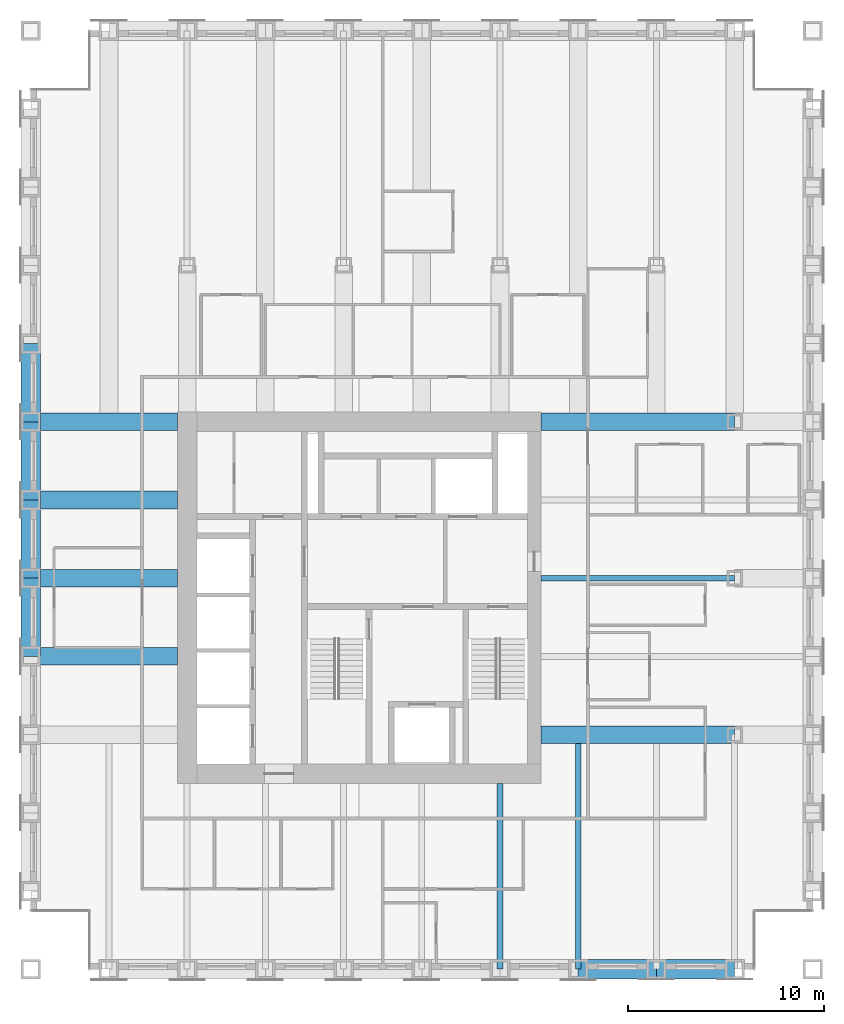
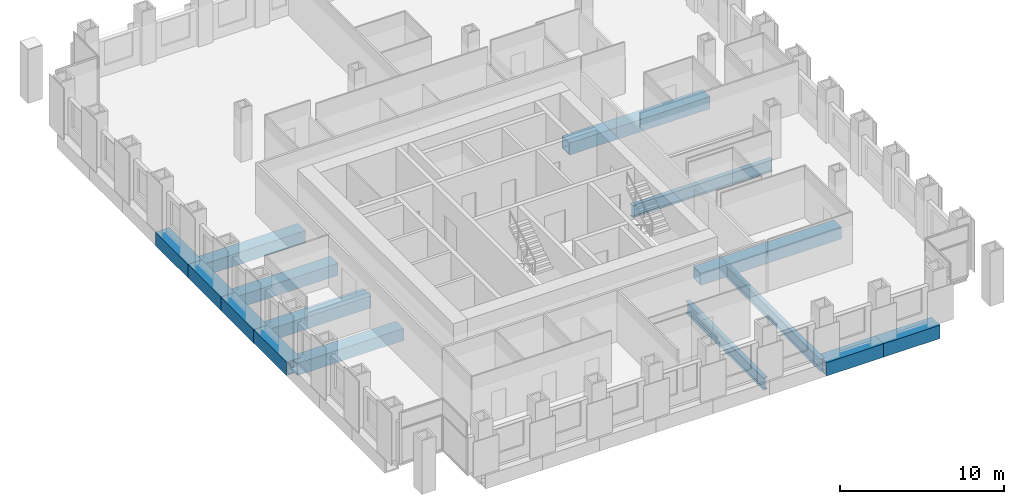
# One storey, part 3 of 14: 15 beams.
"""IFC4 building model written with IfcOpenShell, lengths in metres."""

from ifc_helpers import new_model, si_unit, direction, frame, origin, origin_2d, place, context, subcontext, project, spatial, hollow_rectangle, i_section, extrude, material, material_profile, profile_set, type_object, element, save


model = new_model("IFC4")

# Units and contexts
model_context = context("Model", 3, precision=1e-05, world=origin(), true_north=direction((0.0, 1.0)))
body_context = subcontext(model_context, "Body", "Model", "MODEL_VIEW")
ifc_project = project(units=[si_unit("LENGTHUNIT", "METRE"), si_unit("AREAUNIT", "SQUARE_METRE"), si_unit("VOLUMEUNIT", "CUBIC_METRE"), si_unit("PLANEANGLEUNIT", "RADIAN"), si_unit("MASSUNIT", "GRAM", prefix="KILO")], contexts=[model_context])

# Site, building, storey
site_placement = place(None, origin())
site = spatial("IfcSite", under=ifc_project, at=site_placement, CompositionType="ELEMENT")
building_placement = place(site_placement, origin())
building = spatial("IfcBuilding", under=site, at=building_placement, Name="Rimbunsela Tower", CompositionType="ELEMENT")
storey_placement = place(building_placement, frame((0.0, 0.0, 234.199951171875)))
storey = spatial("IfcBuildingStorey", under=building, at=storey_placement, Name="L56", CompositionType="ELEMENT", Elevation=234.199951171875)

# Beams
ifc_material_1 = material(Name="Steel BJ 55 (fy 410 MPa)", Category="steel")
ifc_material_profile_1 = material_profile(ifc_material_1, hollow_rectangle(XDim=1.0, YDim=1.0, WallThickness=0.10009765625, at=origin_2d()), Name="BOX 1000x1000x100")
ifc_profile_set_1 = profile_set([ifc_material_profile_1], Name="Steel BJ 55 (fy 410 MPa)")
beam_type_1 = type_object("IfcBeamType", Name="Beam BOX 1000x1000x100", PredefinedType="BEAM", material=ifc_profile_set_1)
for number, where, z_axis, x_axis, name in (
    (1, (10.0, 24.0, -0.64990234375), (0.0, 1.0, 0.0), (-1.0, 0.0, 0.0), "Beam B3 L56"),
    (2, (10.0, 28.0, -0.64990234375), (0.0, 1.0, 0.0), (-1.0, 0.0, 0.0), "Beam B3 L56"),
    (3, (10.0, 32.0, -0.64990234375), (0.0, 1.0, 0.0), (-1.0, 0.0, 0.0), "Beam B3 L56"),
    (4, (10.0, 36.0, -0.64990234375), (0.0, 1.0, 0.0), (-1.0, 0.0, 0.0), "Beam B3 L56"),
    (5, (38.0, 8.0, -0.64990234375), (1.0, 0.0, 0.0), (0.0, 1.0, 0.0), "Beam B3 L56"),
    (6, (42.0, 8.0, -0.64990234375), (1.0, 0.0, 0.0), (0.0, 1.0, 0.0), "Beam B3 L56"),
):
    element("IfcBeam", number, at=place(storey_placement, frame(where, z_axis=z_axis, x_axis=x_axis)), inside=storey, type_object=beam_type_1, Name=name, PredefinedType="BEAM", context=body_context, shape_type="SweptSolid", body=[
        extrude(hollow_rectangle(XDim=1.0, YDim=1.0, WallThickness=0.10009765625, at=origin_2d()), origin(), (0.0, 0.0, 1.0), 4.0),
    ])
ifc_material_2 = material(Name="Steel BJ 55 (fy 410 MPa)", Category="steel")
ifc_material_profile_2 = material_profile(ifc_material_2, hollow_rectangle(XDim=0.89990234375, YDim=0.89990234375, WallThickness=0.06005859375, at=origin_2d()), Name="BOX 900x900x60")
ifc_profile_set_2 = profile_set([ifc_material_profile_2], Name="Steel BJ 55 (fy 410 MPa)")
beam_type_2 = type_object("IfcBeamType", Name="Beam BOX 900x900x60", PredefinedType="BEAM", material=ifc_profile_set_2)
for number, where, z_axis, x_axis, name in (
    (7, (10.0, 24.0, -0.599853515625), (1.0, 0.0, 0.0), (0.0, 1.0, 0.0), "Beam B1 L56"),
    (8, (10.0, 28.0, -0.599853515625), (1.0, 0.0, 0.0), (0.0, 1.0, 0.0), "Beam B1 L56"),
    (9, (10.0, 32.0, -0.599853515625), (1.0, 0.0, 0.0), (0.0, 1.0, 0.0), "Beam B1 L56"),
    (10, (10.0, 36.0, -0.599853515625), (1.0, 0.0, 0.0), (0.0, 1.0, 0.0), "Beam B1 L56"),
):
    element("IfcBeam", number, at=place(storey_placement, frame(where, z_axis=z_axis, x_axis=x_axis)), inside=storey, type_object=beam_type_2, Name=name, PredefinedType="BEAM", context=body_context, shape_type="SweptSolid", body=[
        extrude(hollow_rectangle(XDim=0.89990234375, YDim=0.89990234375, WallThickness=0.06005859375, at=origin_2d()), origin(), (0.0, 0.0, 1.0), 7.5),
    ])
for number, where, z_axis, x_axis, name in (
    (11, (36.10009765625, 20.0, -0.599853515625), (1.0, 0.0, 0.0), (0.0, 1.0, 0.0), "Beam B1 L56"),
    (12, (36.10009765625, 36.0, -0.599853515625), (1.0, 0.0, 0.0), (0.0, 1.0, 0.0), "Beam B1 L56"),
):
    element("IfcBeam", number, at=place(storey_placement, frame(where, z_axis=z_axis, x_axis=x_axis)), inside=storey, type_object=beam_type_2, Name=name, PredefinedType="BEAM", context=body_context, shape_type="SweptSolid", body=[
        extrude(hollow_rectangle(XDim=0.89990234375, YDim=0.89990234375, WallThickness=0.06005859375, at=origin_2d()), origin(), (0.0, 0.0, 1.0), 9.89990234375),
    ])
ifc_material_3 = material(Name="Steel BJ 55 (fy 410 MPa)", Category="steel")
ifc_material_profile_3 = material_profile(ifc_material_3, i_section(OverallWidth=0.300048828125, OverallDepth=0.89990234375, WebThickness=0.01611328125, FlangeThickness=0.028076171875, FilletRadius=0.028076171875, at=origin_2d()), Name="H 900x300x16x28")
ifc_profile_set_3 = profile_set([ifc_material_profile_3], Name="Steel BJ 55 (fy 410 MPa)")
beam_type_3 = type_object("IfcBeamType", Name="Beam H 900x300x16x28", PredefinedType="BEAM", material=ifc_profile_set_3)
beam_1_placement = place(storey_placement, frame((34.0, 8.0, -0.599853515625), z_axis=(0.0, 1.0, 0.0), x_axis=(-1.0, 0.0, 0.0)))
element("IfcBeam", 13, at=beam_1_placement, inside=storey, type_object=beam_type_3, Name="Beam B2 L56", PredefinedType="BEAM", context=body_context, shape_type="SweptSolid", body=[
    extrude(i_section(OverallWidth=0.300048828125, OverallDepth=0.89990234375, WebThickness=0.01611328125, FlangeThickness=0.028076171875, FilletRadius=0.028076171875, at=origin_2d()), origin(), (0.0, 0.0, 1.0), 9.5),
])
beam_2_placement = place(storey_placement, frame((36.10009765625, 28.0, -0.599853515625), z_axis=(1.0, 0.0, 0.0), x_axis=(0.0, 1.0, 0.0)))
element("IfcBeam", 14, at=beam_2_placement, inside=storey, type_object=beam_type_3, Name="Beam B2 L56", PredefinedType="BEAM", context=body_context, shape_type="SweptSolid", body=[
    extrude(i_section(OverallWidth=0.300048828125, OverallDepth=0.89990234375, WebThickness=0.01611328125, FlangeThickness=0.028076171875, FilletRadius=0.028076171875, at=origin_2d()), origin(), (0.0, 0.0, 1.0), 9.89990234375),
])
beam_3_placement = place(storey_placement, frame((38.0, 8.0, -0.599853515625), z_axis=(0.0, 1.0, 0.0), x_axis=(-1.0, 0.0, 0.0)))
element("IfcBeam", 15, at=beam_3_placement, inside=storey, type_object=beam_type_3, Name="Beam B2 L56", PredefinedType="BEAM", context=body_context, shape_type="SweptSolid", body=[
    extrude(i_section(OverallWidth=0.300048828125, OverallDepth=0.89990234375, WebThickness=0.01611328125, FlangeThickness=0.028076171875, FilletRadius=0.028076171875, at=origin_2d()), origin(), (0.0, 0.0, 1.0), 11.550048828125),
])

save(model, "model.ifc")
